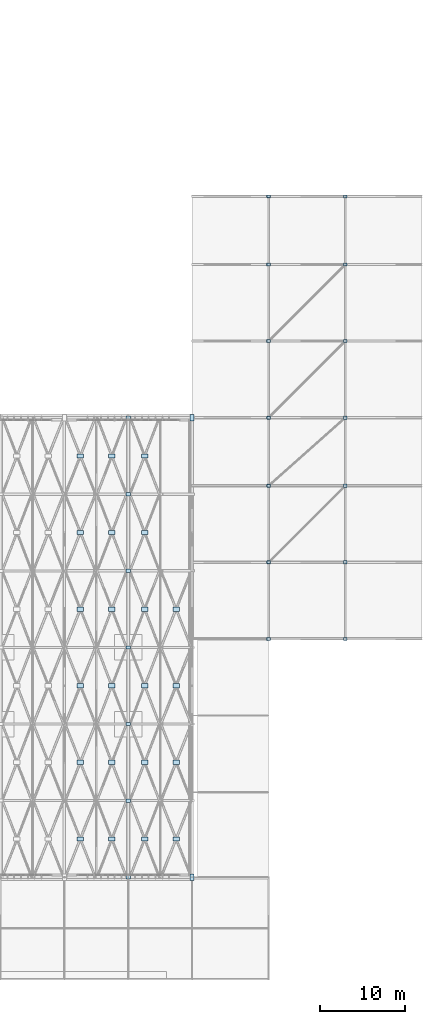
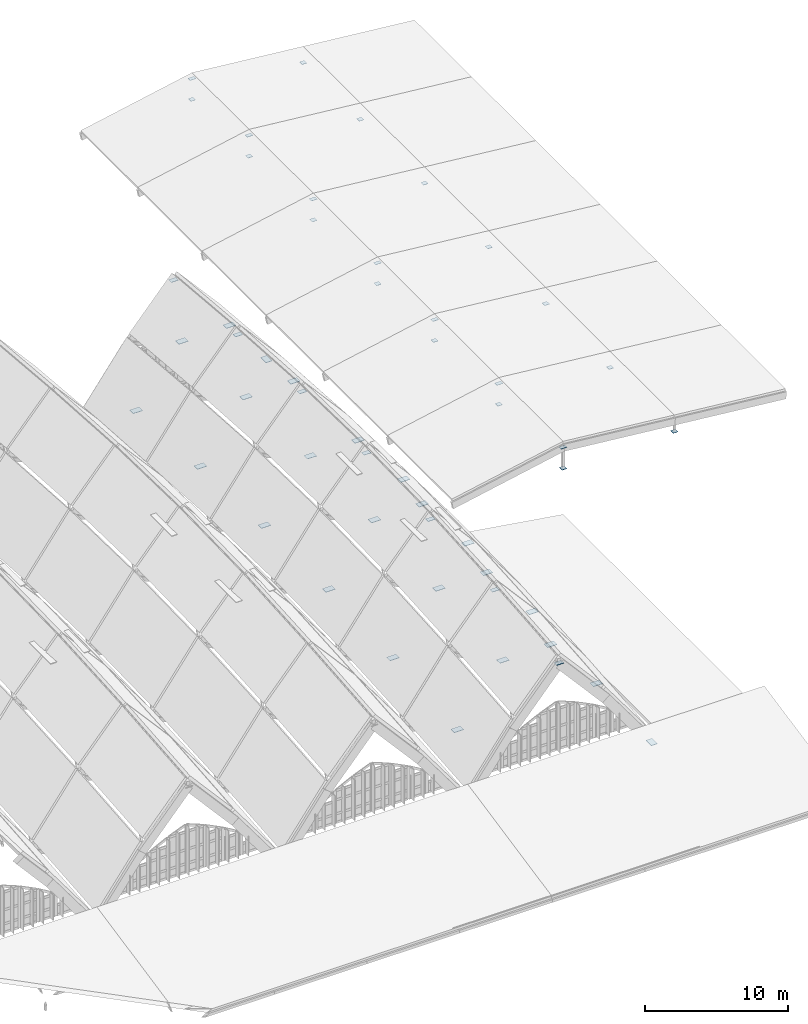
# One storey, part 76 of 93: 52 plates.
"""IFC4 building model written with IfcOpenShell, lengths in metres."""

from ifc_helpers import new_model, si_unit, direction, frame, origin, origin_2d, place, context, subcontext, project, spatial, rectangle, extrude, material, layer, layer_set, type_object, element, save


model = new_model("IFC4")

# Units and contexts
model_context = context("Model", 3, precision=1e-05, world=origin(), true_north=direction((0.0, 1.0)))
body_context = subcontext(model_context, "Body", "Model", "MODEL_VIEW")
ifc_project = project(units=[si_unit("LENGTHUNIT", "METRE"), si_unit("AREAUNIT", "SQUARE_METRE"), si_unit("VOLUMEUNIT", "CUBIC_METRE"), si_unit("PLANEANGLEUNIT", "RADIAN"), si_unit("MASSUNIT", "GRAM", prefix="KILO")], contexts=[model_context])

# Site, building, storey
site_placement = place(None, origin())
site = spatial("IfcSite", under=ifc_project, at=site_placement, CompositionType="ELEMENT")
building_placement = place(site_placement, origin())
building = spatial("IfcBuilding", under=site, at=building_placement, Name="Vourika Railside Aquatics Centre", CompositionType="ELEMENT")
storey_placement = place(building_placement, frame((0.0, 0.0, 21.89990234375)))
storey = spatial("IfcBuildingStorey", under=building, at=storey_placement, Name="Roof", CompositionType="ELEMENT", Elevation=21.89990234375)

# Plates
ifc_material_1 = material(Name="Steel S355J2", Category="steel")
ifc_layer_1 = layer(ifc_material_1, 0.02197265625, Name="PLT-BASE-380x380x22")
ifc_layer_set_1 = layer_set([ifc_layer_1], Name="Steel S355J2")
plate_type_1 = type_object("IfcPlateType", Name="PLT-BASE-380x380x22", PredefinedType="USERDEFINED", material=ifc_layer_set_1)
for number, where, z_axis, x_axis, name in (
    (1, (150.0, 40.0, -8.39990234375), (0.0, 0.0, 1.0), (1.0, 0.0, 0.0), "Foyer Post Base Plate BP-338"),
    (2, (159.0, 40.0, -8.39990234375), (0.0, 0.0, 1.0), (1.0, 0.0, 0.0), "Foyer Post Base Plate BP-339"),
    (3, (150.0, 49.0, -8.39990234375), (0.0, 0.0, 1.0), (1.0, 0.0, 0.0), "Foyer Post Base Plate BP-341"),
    (4, (159.0, 49.0, -8.39990234375), (0.0, 0.0, 1.0), (1.0, 0.0, 0.0), "Foyer Post Base Plate BP-342"),
    (5, (150.0, 58.0, -8.39990234375), (0.0, 0.0, 1.0), (1.0, 0.0, 0.0), "Foyer Post Base Plate BP-344"),
    (6, (159.0, 58.0, -8.39990234375), (0.0, 0.0, 1.0), (1.0, 0.0, 0.0), "Foyer Post Base Plate BP-345"),
    (7, (150.0, 66.0, -8.39990234375), (0.0, 0.0, 1.0), (1.0, 0.0, 0.0), "Foyer Post Base Plate BP-347"),
    (8, (159.0, 66.0, -8.39990234375), (0.0, 0.0, 1.0), (1.0, 0.0, 0.0), "Foyer Post Base Plate BP-348"),
    (9, (150.0, 75.0, -8.39990234375), (0.0, 0.0, 1.0), (1.0, 0.0, 0.0), "Foyer Post Base Plate BP-350"),
    (10, (159.0, 75.0, -8.39990234375), (0.0, 0.0, 1.0), (1.0, 0.0, 0.0), "Foyer Post Base Plate BP-351"),
    (11, (150.0, 84.0, -8.39990234375), (0.0, 0.0, 1.0), (1.0, 0.0, 0.0), "Foyer Post Base Plate BP-353"),
    (12, (159.0, 84.0, -8.39990234375), (0.0, 0.0, 1.0), (1.0, 0.0, 0.0), "Foyer Post Base Plate BP-354"),
    (13, (150.0, 92.0, -8.39990234375), (0.0, 0.0, 1.0), (1.0, 0.0, 0.0), "Foyer Post Base Plate BP-356"),
    (14, (159.0, 92.0, -8.39990234375), (0.0, 0.0, 1.0), (1.0, 0.0, 0.0), "Foyer Post Base Plate BP-357"),
):
    element("IfcPlate", number, at=place(storey_placement, frame(where, z_axis=z_axis, x_axis=x_axis)), inside=storey, type_object=plate_type_1, Name=name, ObjectType="BASE PLATE", PredefinedType="USERDEFINED", context=body_context, shape_type="SweptSolid", body=[
        extrude(rectangle(XDim=0.3798828125, YDim=0.3798828125, at=origin_2d()), origin(), (0.0, 0.0, 1.0), 0.02197265625),
    ])
ifc_layer_2 = layer(ifc_material_1, 0.02001953125, Name="PLT-FOY-480x320x20")
ifc_layer_set_2 = layer_set([ifc_layer_2], Name="Steel S355J2")
plate_type_2 = type_object("IfcPlateType", Name="PLT-FOY-480x320x20", PredefinedType="USERDEFINED", material=ifc_layer_set_2)
for number, where, z_axis, x_axis, name in (
    (15, (150.0, 40.0, -6.60986328125), (0.0, 0.0, 1.0), (1.0, 0.0, 0.0), "Foyer Canopy Apex Gusset SN-340"),
    (16, (150.0, 49.0, -6.60986328125), (0.0, 0.0, 1.0), (1.0, 0.0, 0.0), "Foyer Canopy Apex Gusset SN-343"),
    (17, (150.0, 58.0, -6.60986328125), (0.0, 0.0, 1.0), (1.0, 0.0, 0.0), "Foyer Canopy Apex Gusset SN-346"),
    (18, (150.0, 66.0, -6.60986328125), (0.0, 0.0, 1.0), (1.0, 0.0, 0.0), "Foyer Canopy Apex Gusset SN-349"),
    (19, (150.0, 75.0, -6.60986328125), (0.0, 0.0, 1.0), (1.0, 0.0, 0.0), "Foyer Canopy Apex Gusset SN-352"),
    (20, (150.0, 84.0, -6.60986328125), (0.0, 0.0, 1.0), (1.0, 0.0, 0.0), "Foyer Canopy Apex Gusset SN-355"),
    (21, (150.0, 92.0, -6.60986328125), (0.0, 0.0, 1.0), (1.0, 0.0, 0.0), "Foyer Canopy Apex Gusset SN-358"),
):
    element("IfcPlate", number, at=place(storey_placement, frame(where, z_axis=z_axis, x_axis=x_axis)), inside=storey, type_object=plate_type_2, Name=name, ObjectType="GUSSET PLATE", PredefinedType="USERDEFINED", context=body_context, shape_type="SweptSolid", body=[
        extrude(rectangle(XDim=0.47998046875, YDim=0.320068359375, at=origin_2d()), origin(), (0.0, 0.0, 1.0), 0.02001953125),
    ])
ifc_material_2 = material(Name="Duplex stainless steel EN 1.4462", Category="steel")
ifc_layer_3 = layer(ifc_material_2, 0.02490234375, Name="PLT-RIDGE-580x380x25")
ifc_layer_set_3 = layer_set([ifc_layer_3], Name="Duplex stainless steel EN 1.4462")
plate_type_3 = type_object("IfcPlateType", Name="PLT-RIDGE-580x380x25", PredefinedType="USERDEFINED", material=ifc_layer_set_3)
for number, where, z_axis, x_axis, name in (
    (22, (133.5, 12.0, -2.312255859375), (0.0, 0.0, 1.0), (1.0, 0.0, 0.0), "Stainless Vault Ridge Gusset Plate SN-289"),
    (23, (133.5, 21.0, -1.512451171875), (0.0, 0.0, 1.0), (1.0, 0.0, 0.0), "Stainless Vault Ridge Gusset Plate SN-290"),
    (24, (133.5, 30.0, -0.9267578125), (0.0, 0.0, 1.0), (1.0, 0.0, 0.0), "Stainless Vault Ridge Gusset Plate SN-291"),
    (25, (133.5, 39.0, -0.71240234375), (0.0, 0.0, 1.0), (1.0, 0.0, 0.0), "Stainless Vault Ridge Gusset Plate SN-292"),
    (26, (133.5, 48.0, -0.9267578125), (0.0, 0.0, 1.0), (1.0, 0.0, 0.0), "Stainless Vault Ridge Gusset Plate SN-293"),
    (27, (133.5, 57.0, -1.512451171875), (0.0, 0.0, 1.0), (1.0, 0.0, 0.0), "Stainless Vault Ridge Gusset Plate SN-294"),
    (28, (133.5, 66.0, -2.312255859375), (0.0, 0.0, 1.0), (1.0, 0.0, 0.0), "Stainless Vault Ridge Gusset Plate SN-295"),
):
    element("IfcPlate", number, at=place(storey_placement, frame(where, z_axis=z_axis, x_axis=x_axis)), inside=storey, type_object=plate_type_3, Name=name, ObjectType="GUSSET PLATE", PredefinedType="USERDEFINED", context=body_context, shape_type="SweptSolid", body=[
        extrude(rectangle(XDim=0.580078125, YDim=0.3798828125, at=origin_2d()), origin(), (0.0, 0.0, 1.0), 0.02490234375),
    ])
ifc_layer_4 = layer(ifc_material_2, 0.028076171875, Name="PLT-VAL-760x500x28")
ifc_layer_set_4 = layer_set([ifc_layer_4], Name="Duplex stainless steel EN 1.4462")
plate_type_4 = type_object("IfcPlateType", Name="PLT-VAL-760x500x28", PredefinedType="USERDEFINED", material=ifc_layer_set_4)
for number, where, z_axis, x_axis, name in (
    (29, (141.0, 12.0, -11.7138671875), (0.0, 0.0, 1.0), (0.0, 1.0, 0.0), "Stainless Valley Truss Gusset SN-102"),
    (30, (141.0, 66.0, -11.7138671875), (0.0, 0.0, 1.0), (0.0, 1.0, 0.0), "Stainless Valley Truss Gusset SN-107"),
    (31, (127.875, 16.5, -8.763671875), (0.0, 0.0, 1.0), (1.0, 0.0, 0.0), "Gridshell X-Brace Crossing Node Gusset SN-0296"),
    (32, (131.572509765625, 16.5, -4.12353515625), (0.0, 0.0, 1.0), (1.0, 0.0, 0.0), "Gridshell X-Brace Crossing Node Gusset SN-0297"),
    (33, (135.427490234375, 16.5, -4.12353515625), (0.0, 0.0, 1.0), (1.0, 0.0, 0.0), "Gridshell X-Brace Crossing Node Gusset SN-0298"),
    (34, (139.125, 16.5, -8.763671875), (0.0, 0.0, 1.0), (1.0, 0.0, 0.0), "Gridshell X-Brace Crossing Node Gusset SN-0299"),
    (35, (127.875, 25.5, -8.0693359375), (0.0, 0.0, 1.0), (1.0, 0.0, 0.0), "Gridshell X-Brace Crossing Node Gusset SN-0300"),
    (36, (131.572509765625, 25.5, -3.4296875), (0.0, 0.0, 1.0), (1.0, 0.0, 0.0), "Gridshell X-Brace Crossing Node Gusset SN-0301"),
    (37, (135.427490234375, 25.5, -3.4296875), (0.0, 0.0, 1.0), (1.0, 0.0, 0.0), "Gridshell X-Brace Crossing Node Gusset SN-0302"),
    (38, (139.125, 25.5, -8.0693359375), (0.0, 0.0, 1.0), (1.0, 0.0, 0.0), "Gridshell X-Brace Crossing Node Gusset SN-0303"),
    (39, (127.875, 34.5, -7.6689453125), (0.0, 0.0, 1.0), (1.0, 0.0, 0.0), "Gridshell X-Brace Crossing Node Gusset SN-0304"),
    (40, (131.572509765625, 34.5, -3.029296875), (0.0, 0.0, 1.0), (1.0, 0.0, 0.0), "Gridshell X-Brace Crossing Node Gusset SN-0305"),
    (41, (135.427490234375, 34.5, -3.029296875), (0.0, 0.0, 1.0), (1.0, 0.0, 0.0), "Gridshell X-Brace Crossing Node Gusset SN-0306"),
    (42, (139.125, 34.5, -7.6689453125), (0.0, 0.0, 1.0), (1.0, 0.0, 0.0), "Gridshell X-Brace Crossing Node Gusset SN-0307"),
    (43, (127.875, 43.5, -7.6689453125), (0.0, 0.0, 1.0), (1.0, 0.0, 0.0), "Gridshell X-Brace Crossing Node Gusset SN-0308"),
    (44, (131.572509765625, 43.5, -3.029296875), (0.0, 0.0, 1.0), (1.0, 0.0, 0.0), "Gridshell X-Brace Crossing Node Gusset SN-0309"),
    (45, (135.427490234375, 43.5, -3.029296875), (0.0, 0.0, 1.0), (1.0, 0.0, 0.0), "Gridshell X-Brace Crossing Node Gusset SN-0310"),
    (46, (139.125, 43.5, -7.6689453125), (0.0, 0.0, 1.0), (1.0, 0.0, 0.0), "Gridshell X-Brace Crossing Node Gusset SN-0311"),
    (47, (127.875, 52.5, -8.0693359375), (0.0, 0.0, 1.0), (1.0, 0.0, 0.0), "Gridshell X-Brace Crossing Node Gusset SN-0312"),
    (48, (131.572509765625, 52.5, -3.4296875), (0.0, 0.0, 1.0), (1.0, 0.0, 0.0), "Gridshell X-Brace Crossing Node Gusset SN-0313"),
    (49, (135.427490234375, 52.5, -3.4296875), (0.0, 0.0, 1.0), (1.0, 0.0, 0.0), "Gridshell X-Brace Crossing Node Gusset SN-0314"),
    (50, (127.875, 61.5, -8.763671875), (0.0, 0.0, 1.0), (1.0, 0.0, 0.0), "Gridshell X-Brace Crossing Node Gusset SN-0315"),
    (51, (131.572509765625, 61.5, -4.12353515625), (0.0, 0.0, 1.0), (1.0, 0.0, 0.0), "Gridshell X-Brace Crossing Node Gusset SN-0316"),
    (52, (135.427490234375, 61.5, -4.12353515625), (0.0, 0.0, 1.0), (1.0, 0.0, 0.0), "Gridshell X-Brace Crossing Node Gusset SN-0317"),
):
    element("IfcPlate", number, at=place(storey_placement, frame(where, z_axis=z_axis, x_axis=x_axis)), inside=storey, type_object=plate_type_4, Name=name, ObjectType="GUSSET PLATE", PredefinedType="USERDEFINED", context=body_context, shape_type="SweptSolid", body=[
        extrude(rectangle(XDim=0.760009765625, YDim=0.5, at=origin_2d()), origin(), (0.0, 0.0, 1.0), 0.028076171875),
    ])

save(model, "model.ifc")
